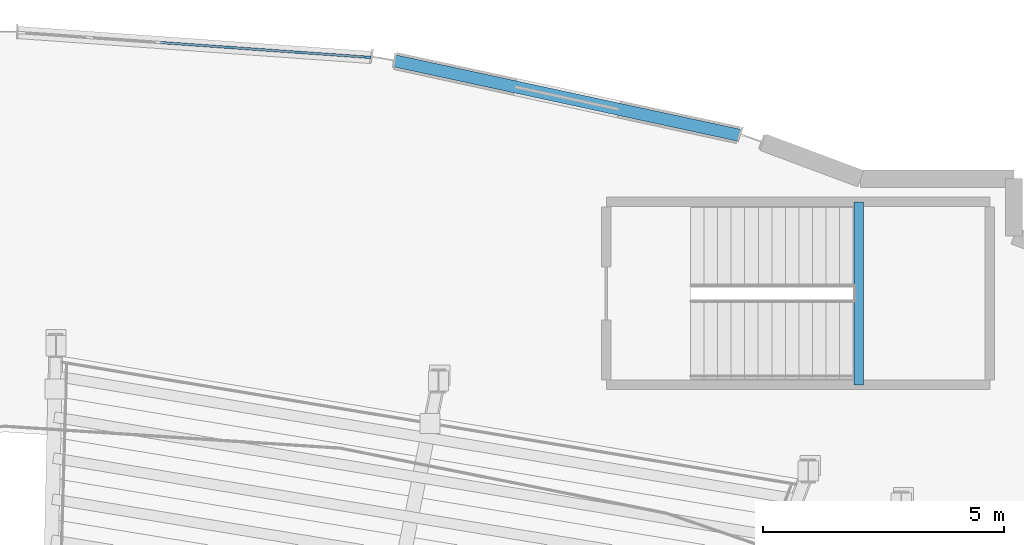
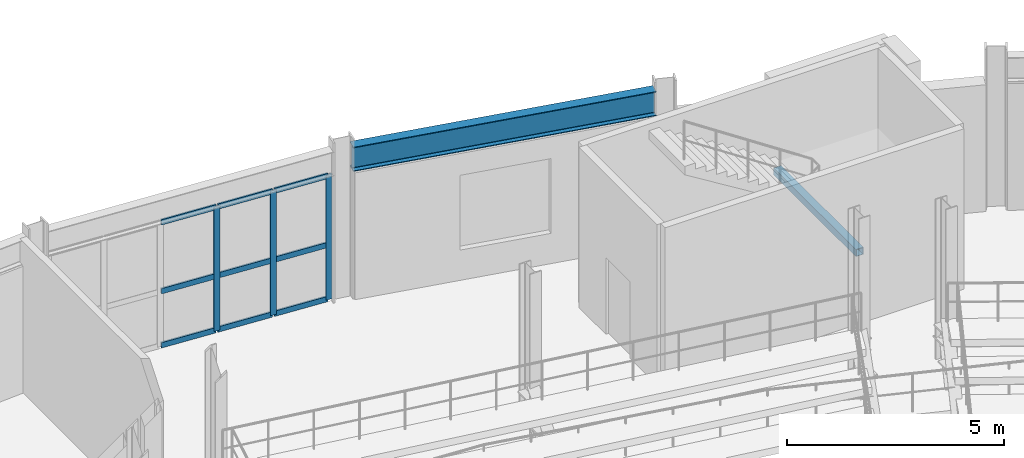
# One storey, part 39 of 81: 12 members, 2 beams, 1 element without a shape of its own.
"""IFC4 building model written with IfcOpenShell, lengths in metres."""

from ifc_helpers import new_model, si_unit, direction, frame, origin, origin_2d, place, context, subcontext, project, spatial, rectangle, hollow_rectangle, i_section, extrude, material, material_profile, profile_set, type_object, element, aggregate, save


model = new_model("IFC4")

# Units and contexts
model_context = context("Model", 3, precision=1e-05, world=origin(), true_north=direction((0.0, 1.0)))
body_context = subcontext(model_context, "Body", "Model", "MODEL_VIEW")
ifc_project = project(units=[si_unit("LENGTHUNIT", "METRE"), si_unit("AREAUNIT", "SQUARE_METRE"), si_unit("VOLUMEUNIT", "CUBIC_METRE"), si_unit("PLANEANGLEUNIT", "RADIAN"), si_unit("MASSUNIT", "GRAM", prefix="KILO")], contexts=[model_context])

# Site, building, storey
site_placement = place(None, origin())
site = spatial("IfcSite", under=ifc_project, at=site_placement, CompositionType="ELEMENT")
building_placement = place(site_placement, origin())
building = spatial("IfcBuilding", under=site, at=building_placement, Name="Glasvene Arena", CompositionType="ELEMENT")
storey_placement = place(building_placement, frame((0.0, 0.0, 15.0)))
storey = spatial("IfcBuildingStorey", under=building, at=storey_placement, Name="L03", CompositionType="ELEMENT", Elevation=15.0)

# Beams
ifc_material_1 = material(Name="Steel S355J2", Category="steel")
ifc_material_profile_1 = material_profile(ifc_material_1, i_section(OverallWidth=0.253662109375, OverallDepth=0.68359375, WebThickness=0.012451171875, FlangeThickness=0.01904296875, FilletRadius=0.01513671875, at=origin_2d()), Name="UKB 686x254x140")
ifc_profile_set_1 = profile_set([ifc_material_profile_1], Name="Steel S355J2")
beam_type_1 = type_object("IfcBeamType", Name="BM-GIRD-686", PredefinedType="BEAM", material=ifc_profile_set_1)
beam_1_placement = place(storey_placement, frame((107.21630859375, 115.84814453125, 3.908203125), z_axis=(-0.97744150895, 0.211206289161, 0.0), x_axis=(-0.211206289161, -0.97744150895, 0.0)))
element("IfcBeam", 1, at=beam_1_placement, inside=storey, type_object=beam_type_1, Name="Bowl ring chord beam L03-09", PredefinedType="BEAM", context=body_context, shape_type="SweptSolid", body=[
    extrude(i_section(OverallWidth=0.253662109375, OverallDepth=0.68359375, WebThickness=0.012451171875, FlangeThickness=0.01904296875, FilletRadius=0.01513671875, at=origin_2d()), origin(), (0.0, 0.0, 1.0), 7.3251953125),
])
ifc_material_profile_2 = material_profile(ifc_material_1, hollow_rectangle(XDim=0.199951171875, YDim=0.199951171875, WallThickness=0.010009765625, at=origin_2d()), Name="SHS 200x200x10.0")
ifc_profile_set_2 = profile_set([ifc_material_profile_2], Name="Steel S355J2")
beam_type_2 = type_object("IfcBeamType", Name="BM-LINTEL-200", PredefinedType="LINTEL", material=ifc_profile_set_2)
beam_2_placement = place(storey_placement, frame((109.679931640625, 110.679931640625, 1.929931640625), z_axis=(0.0, 1.0, 0.0), x_axis=(-1.0, 0.0, 0.0)))
element("IfcBeam", 2, at=beam_2_placement, inside=storey, type_object=beam_type_2, Name="Stair half-landing support beam ST-11-L03", PredefinedType="LINTEL", context=body_context, shape_type="SweptSolid", body=[
    extrude(hollow_rectangle(XDim=0.199951171875, YDim=0.199951171875, WallThickness=0.010009765625, at=origin_2d()), origin(), (0.0, 0.0, 1.0), 3.7900390625),
])

# Curtain wall, members
ifc_material_2 = material(Name="Low-emissivity laminated double glazing", Category="glass")
curtain_wall_type = type_object("IfcCurtainWallType", Name="CW-FAC-L03-723x350", PredefinedType="USERDEFINED", material=ifc_material_2)
curtain_wall_placement = place(storey_placement, frame((92.303955078125, 117.978515625, 0.0)))
curtain_wall = element("IfcCurtainWall", 3, at=curtain_wall_placement, inside=storey, type_object=curtain_wall_type, Name="Unitised curtain wall CW-F-L03-150-959-1177-25", ObjectType="CURTAIN WALL", PredefinedType="USERDEFINED")
ifc_material_3 = material(Name="Anodised architectural aluminium", Category="aluminium")
ifc_material_profile_3 = material_profile(ifc_material_3, rectangle(XDim=0.050048828125, YDim=0.159912109375, at=origin_2d()), Name="ALU MULLION 50x160")
ifc_profile_set_3 = profile_set([ifc_material_profile_3], Name="Anodised architectural aluminium")
member_type_1 = type_object("IfcMemberType", Name="CW-MUL-150", PredefinedType="MULLION", material=ifc_profile_set_3)
member_1_placement = place(storey_placement, frame((96.6318359375, 117.671875, 0.06005859375), z_axis=(0.0, 0.0, 1.0), x_axis=(0.070652459706, 0.997500992449, 0.0)))
member_1 = element("IfcMember", 4, at=member_1_placement, type_object=member_type_1, Name="CW-037 mullion 4", PredefinedType="MULLION", context=body_context, shape_type="SweptSolid", body=[
    extrude(rectangle(XDim=0.050048828125, YDim=0.159912109375, at=origin_2d()), origin(), (0.0, 0.0, 1.0), 3.501953125),
])
member_2_placement = place(storey_placement, frame((98.074462890625, 117.56982421875, 0.06005859375), z_axis=(0.0, 0.0, 1.0), x_axis=(0.070652459706, 0.997500992449, 0.0)))
member_2 = element("IfcMember", 5, at=member_2_placement, type_object=member_type_1, Name="CW-037 mullion 5", PredefinedType="MULLION", context=body_context, shape_type="SweptSolid", body=[
    extrude(rectangle(XDim=0.050048828125, YDim=0.159912109375, at=origin_2d()), origin(), (0.0, 0.0, 1.0), 3.501953125),
])
member_3_placement = place(storey_placement, frame((99.491943359375, 117.469482421875, 0.06005859375), z_axis=(0.0, 0.0, 1.0), x_axis=(0.070652459706, 0.997500992449, 0.0)))
member_3 = element("IfcMember", 6, at=member_3_placement, type_object=member_type_1, Name="CW-037 mullion 6", PredefinedType="MULLION", context=body_context, shape_type="SweptSolid", body=[
    extrude(rectangle(XDim=0.050048828125, YDim=0.159912109375, at=origin_2d()), origin(), (0.0, 0.0, 1.0), 3.501953125),
])
ifc_material_profile_4 = material_profile(ifc_material_3, rectangle(XDim=0.050048828125, YDim=0.14990234375, at=origin_2d()), Name="ALU TRANSOM 50x150")
ifc_profile_set_4 = profile_set([ifc_material_profile_4], Name="Anodised architectural aluminium")
member_type_2 = type_object("IfcMemberType", Name="CW-TRN-150", PredefinedType="USERDEFINED", material=ifc_profile_set_4)
member_4_placement = place(storey_placement, frame((95.214111328125, 117.7724609375, 0.0849609375), z_axis=(0.997502003862, -0.070638178713, 0.0), x_axis=(0.070638178713, 0.997502003862, 0.0)))
member_4 = element("IfcMember", 7, at=member_4_placement, type_object=member_type_2, Name="CW-037 transom 3.1", ObjectType="TRANSOM", PredefinedType="USERDEFINED", context=body_context, shape_type="SweptSolid", body=[
    extrude(rectangle(XDim=0.050048828125, YDim=0.14990234375, at=origin_2d()), origin(), (0.0, 0.0, 1.0), 1.396240234375),
])
member_5_placement = place(storey_placement, frame((95.214111328125, 117.7724609375, 1.60302734375), z_axis=(0.997502003862, -0.070638178713, 0.0), x_axis=(0.070638178713, 0.997502003862, 0.0)))
member_5 = element("IfcMember", 8, at=member_5_placement, type_object=member_type_2, Name="CW-037 transom 3.2", ObjectType="TRANSOM", PredefinedType="USERDEFINED", context=body_context, shape_type="SweptSolid", body=[
    extrude(rectangle(XDim=0.050048828125, YDim=0.14990234375, at=origin_2d()), origin(), (0.0, 0.0, 1.0), 1.396240234375),
])
member_6_placement = place(storey_placement, frame((95.214111328125, 117.7724609375, 3.537109375), z_axis=(0.997502003862, -0.070638178713, 0.0), x_axis=(0.070638178713, 0.997502003862, 0.0)))
member_6 = element("IfcMember", 9, at=member_6_placement, type_object=member_type_2, Name="CW-037 transom 3.3", ObjectType="TRANSOM", PredefinedType="USERDEFINED", context=body_context, shape_type="SweptSolid", body=[
    extrude(rectangle(XDim=0.050048828125, YDim=0.14990234375, at=origin_2d()), origin(), (0.0, 0.0, 1.0), 1.396240234375),
])
member_7_placement = place(storey_placement, frame((96.65673828125, 117.670166015625, 0.0849609375), z_axis=(0.997502003862, -0.070638178713, 0.0), x_axis=(0.070638178713, 0.997502003862, 0.0)))
member_7 = element("IfcMember", 10, at=member_7_placement, type_object=member_type_2, Name="CW-037 transom 4.1", ObjectType="TRANSOM", PredefinedType="USERDEFINED", context=body_context, shape_type="SweptSolid", body=[
    extrude(rectangle(XDim=0.050048828125, YDim=0.14990234375, at=origin_2d()), origin(), (0.0, 0.0, 1.0), 1.396240234375),
])
member_8_placement = place(storey_placement, frame((96.65673828125, 117.670166015625, 1.60302734375), z_axis=(0.997502003862, -0.070638178713, 0.0), x_axis=(0.070638178713, 0.997502003862, 0.0)))
member_8 = element("IfcMember", 11, at=member_8_placement, type_object=member_type_2, Name="CW-037 transom 4.2", ObjectType="TRANSOM", PredefinedType="USERDEFINED", context=body_context, shape_type="SweptSolid", body=[
    extrude(rectangle(XDim=0.050048828125, YDim=0.14990234375, at=origin_2d()), origin(), (0.0, 0.0, 1.0), 1.396240234375),
])
member_9_placement = place(storey_placement, frame((96.65673828125, 117.670166015625, 3.537109375), z_axis=(0.997502003862, -0.070638178713, 0.0), x_axis=(0.070638178713, 0.997502003862, 0.0)))
member_9 = element("IfcMember", 12, at=member_9_placement, type_object=member_type_2, Name="CW-037 transom 4.3", ObjectType="TRANSOM", PredefinedType="USERDEFINED", context=body_context, shape_type="SweptSolid", body=[
    extrude(rectangle(XDim=0.050048828125, YDim=0.14990234375, at=origin_2d()), origin(), (0.0, 0.0, 1.0), 1.396240234375),
])
member_10_placement = place(storey_placement, frame((98.099365234375, 117.568115234375, 0.0849609375), z_axis=(0.997498314427, -0.070690258984, 0.0), x_axis=(0.070690258984, 0.997498314427, 0.0)))
member_10 = element("IfcMember", 13, at=member_10_placement, type_object=member_type_2, Name="CW-037 transom 5.1", ObjectType="TRANSOM", PredefinedType="USERDEFINED", context=body_context, shape_type="SweptSolid", body=[
    extrude(rectangle(XDim=0.050048828125, YDim=0.14990234375, at=origin_2d()), origin(), (0.0, 0.0, 1.0), 1.37109375),
])
member_11_placement = place(storey_placement, frame((98.099365234375, 117.568115234375, 1.60302734375), z_axis=(0.997498314427, -0.070690258984, 0.0), x_axis=(0.070690258984, 0.997498314427, 0.0)))
member_11 = element("IfcMember", 14, at=member_11_placement, type_object=member_type_2, Name="CW-037 transom 5.2", ObjectType="TRANSOM", PredefinedType="USERDEFINED", context=body_context, shape_type="SweptSolid", body=[
    extrude(rectangle(XDim=0.050048828125, YDim=0.14990234375, at=origin_2d()), origin(), (0.0, 0.0, 1.0), 1.37109375),
])
member_12_placement = place(storey_placement, frame((98.099365234375, 117.568115234375, 3.537109375), z_axis=(0.997498314427, -0.070690258984, 0.0), x_axis=(0.070690258984, 0.997498314427, 0.0)))
member_12 = element("IfcMember", 15, at=member_12_placement, type_object=member_type_2, Name="CW-037 transom 5.3", ObjectType="TRANSOM", PredefinedType="USERDEFINED", context=body_context, shape_type="SweptSolid", body=[
    extrude(rectangle(XDim=0.050048828125, YDim=0.14990234375, at=origin_2d()), origin(), (0.0, 0.0, 1.0), 1.37109375),
])
aggregate(curtain_wall, [member_1, member_2, member_3, member_4, member_5, member_6, member_7, member_8, member_9, member_10, member_11, member_12])

save(model, "model.ifc")
